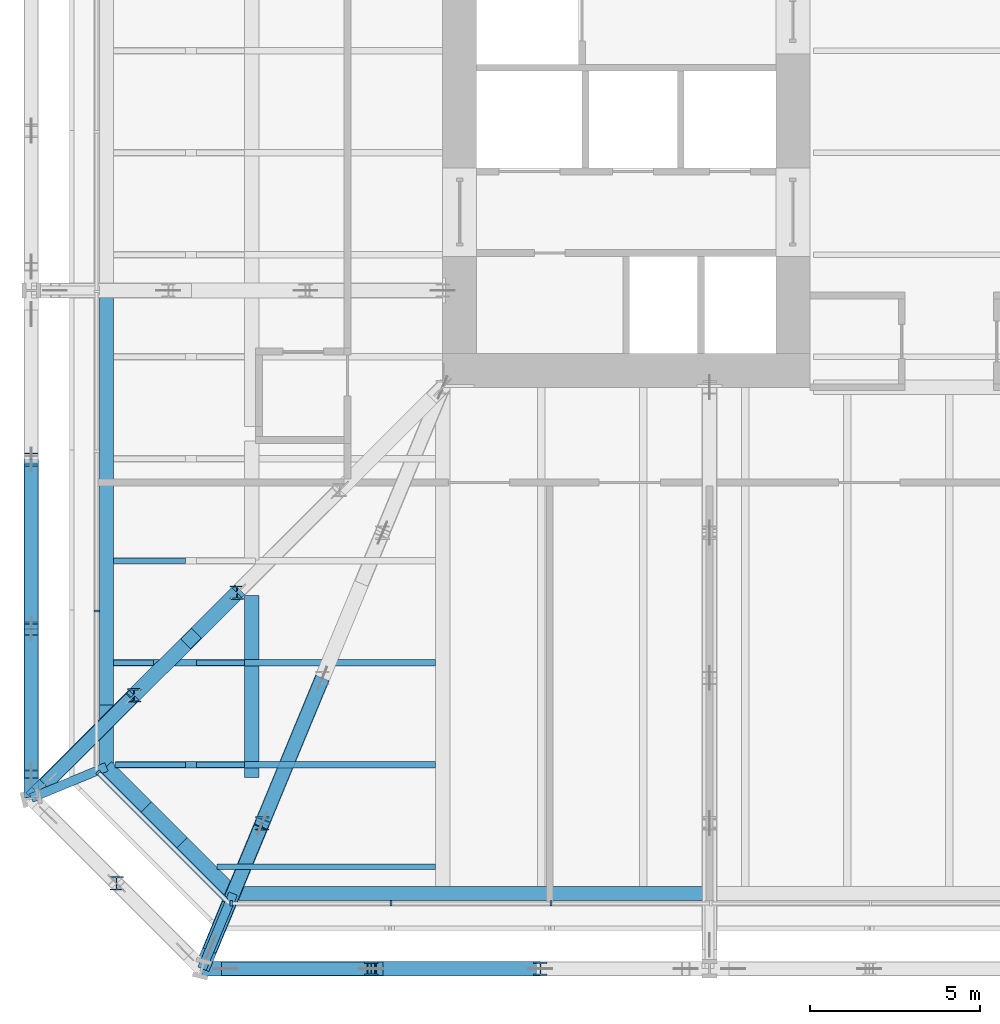
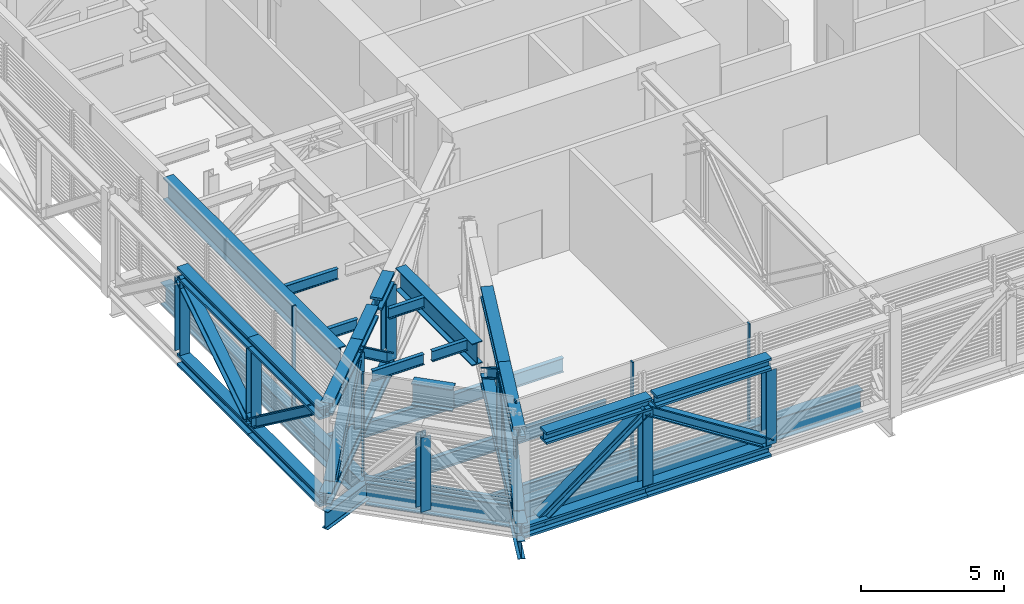
# One storey, part 2 of 33: 33 beams, 22 members, 3 elements without a shape of their own.
"""IFC4 building model written with IfcOpenShell, lengths in metres."""

from ifc_helpers import new_model, si_unit, direction, frame, origin, origin_2d, place, context, subcontext, project, spatial, rectangle, i_section, extrude, material, layer, layer_set, material_profile, profile_set, type_object, element, aggregate, save


model = new_model("IFC4")

# Units and contexts
model_context = context("Model", 3, precision=1e-05, world=origin(), true_north=direction((0.0, 1.0)))
body_context = subcontext(model_context, "Body", "Model", "MODEL_VIEW")
ifc_project = project(units=[si_unit("LENGTHUNIT", "METRE"), si_unit("AREAUNIT", "SQUARE_METRE"), si_unit("VOLUMEUNIT", "CUBIC_METRE"), si_unit("PLANEANGLEUNIT", "RADIAN"), si_unit("MASSUNIT", "GRAM", prefix="KILO")], contexts=[model_context])

# Site, building, storey
site_placement = place(None, origin())
site = spatial("IfcSite", under=ifc_project, at=site_placement, CompositionType="ELEMENT")
building_placement = place(site_placement, origin())
building = spatial("IfcBuilding", under=site, at=building_placement, Name="Millrace Tower", CompositionType="ELEMENT")
storey_placement = place(building_placement, frame((0.0, 0.0, 64.10009765625)))
storey = spatial("IfcBuildingStorey", under=building, at=storey_placement, Name="L14", CompositionType="ELEMENT", Elevation=64.10009765625)

# Beams
ifc_material_1 = material(Name="Steel ASTM A992 Grade 50", Category="steel")
ifc_material_profile_1 = material_profile(ifc_material_1, i_section(OverallWidth=0.436767578125, OverallDepth=0.51318359375, WebThickness=0.060546875, FlangeThickness=0.096923828125, FilletRadius=0.01513671875, at=origin_2d()))
ifc_profile_set_1 = profile_set([ifc_material_profile_1], Name="Steel ASTM A992 Grade 50")
beam_type_1 = type_object("IfcBeamType", Name="Belt truss chord W14x550", PredefinedType="BEAM", material=ifc_profile_set_1)
beam_1_placement = place(storey_placement, frame((-21.978515625, -27.0, 0.25634765625), z_axis=(1.0, 0.0, 0.0), x_axis=(0.0, 1.0, 0.0)))
element("IfcBeam", 1, at=beam_1_placement, inside=storey, type_object=beam_type_1, Name="BLT-L14-R02-B01", PredefinedType="BEAM", context=body_context, shape_type="SweptSolid", body=[
    extrude(i_section(OverallWidth=0.436767578125, OverallDepth=0.51318359375, WebThickness=0.060546875, FlangeThickness=0.096923828125, FilletRadius=0.01513671875, at=origin_2d()), origin(), (0.0, 0.0, 1.0), 4.976318359375),
])
for number, where, z_axis, x_axis, name in (
    (2, (-17.002197265625, -27.0, 0.25634765625), (1.0, 0.0, 0.0), (0.0, 1.0, 0.0), "BLT-L14-R02-B02"),
    (3, (-27.0, -12.026123046875, 0.25634765625), (0.0, -1.0, 0.0), (1.0, 0.0, 0.0), "BLT-L14-R16-B02"),
    (4, (-27.0, -12.026123046875, 3.943359375), (0.0, -1.0, 0.0), (1.0, 0.0, 0.0), "BLT-L14-R16-T02"),
):
    element("IfcBeam", number, at=place(storey_placement, frame(where, z_axis=z_axis, x_axis=x_axis)), inside=storey, type_object=beam_type_1, Name=name, PredefinedType="BEAM", context=body_context, shape_type="SweptSolid", body=[
        extrude(i_section(OverallWidth=0.436767578125, OverallDepth=0.51318359375, WebThickness=0.060546875, FlangeThickness=0.096923828125, FilletRadius=0.01513671875, at=origin_2d()), origin(), (0.0, 0.0, 1.0), 4.97607421875),
    ])
beam_2_placement = place(storey_placement, frame((-27.0, -17.002197265625, 0.25634765625), z_axis=(0.0, -1.0, 0.0), x_axis=(1.0, 0.0, 0.0)))
element("IfcBeam", 5, at=beam_2_placement, inside=storey, type_object=beam_type_1, Name="BLT-L14-R16-B03", PredefinedType="BEAM", context=body_context, shape_type="SweptSolid", body=[
    extrude(i_section(OverallWidth=0.436767578125, OverallDepth=0.51318359375, WebThickness=0.060546875, FlangeThickness=0.096923828125, FilletRadius=0.01513671875, at=origin_2d()), origin(), (0.0, 0.0, 1.0), 4.976318359375),
])
beam_3_placement = place(storey_placement, frame((-21.101318359375, -27.0, 3.943359375), z_axis=(1.0, 0.0, 0.0), x_axis=(0.0, 1.0, 0.0)))
element("IfcBeam", 6, at=beam_3_placement, inside=storey, type_object=beam_type_1, Name="BLT-L14-R02-T01", PredefinedType="BEAM", context=body_context, shape_type="SweptSolid", body=[
    extrude(i_section(OverallWidth=0.436767578125, OverallDepth=0.51318359375, WebThickness=0.060546875, FlangeThickness=0.096923828125, FilletRadius=0.01513671875, at=origin_2d()), origin(), (0.0, 0.0, 1.0), 4.2509765625),
])
beam_4_placement = place(storey_placement, frame((-16.65087890625, -27.0, 3.943359375), z_axis=(1.0, 0.0, 0.0), x_axis=(0.0, 1.0, 0.0)))
element("IfcBeam", 7, at=beam_4_placement, inside=storey, type_object=beam_type_1, Name="BLT-L14-R02-T02", PredefinedType="BEAM", context=body_context, shape_type="SweptSolid", body=[
    extrude(i_section(OverallWidth=0.436767578125, OverallDepth=0.51318359375, WebThickness=0.060546875, FlangeThickness=0.096923828125, FilletRadius=0.01513671875, at=origin_2d()), origin(), (0.0, 0.0, 1.0), 4.624755859375),
])
beam_5_placement = place(storey_placement, frame((-27.0, -17.002197265625, 3.943359375), z_axis=(0.0, -1.0, 0.0), x_axis=(1.0, 0.0, 0.0)))
element("IfcBeam", 8, at=beam_5_placement, inside=storey, type_object=beam_type_1, Name="BLT-L14-R16-T03", PredefinedType="BEAM", context=body_context, shape_type="SweptSolid", body=[
    extrude(i_section(OverallWidth=0.436767578125, OverallDepth=0.51318359375, WebThickness=0.060546875, FlangeThickness=0.096923828125, FilletRadius=0.01513671875, at=origin_2d()), origin(), (0.0, 0.0, 1.0), 4.958984375),
])

# Members
ifc_material_2 = material(Name="Steel ASTM A992 Grade 50", Category="steel")
ifc_material_profile_2 = material_profile(ifc_material_2, i_section(OverallWidth=0.40380859375, OverallDepth=0.406494140625, WebThickness=0.027099609375, FlangeThickness=0.043701171875, FilletRadius=0.01513671875, at=origin_2d()))
ifc_profile_set_2 = profile_set([ifc_material_profile_2], Name="Steel ASTM A992 Grade 50")
member_type_1 = type_object("IfcMemberType", Name="Belt truss diagonal W14x233", PredefinedType="BRACE", material=ifc_profile_set_2)
member_1_placement = place(storey_placement, frame((-21.2783203125, -27.0, 0.512939453125), z_axis=(0.802988323282, 0.0, 0.59599475893), x_axis=(0.0, 1.0, 0.0)))
element("IfcMember", 9, at=member_1_placement, inside=storey, type_object=member_type_1, Name="BLT-L14-R02-D01", PredefinedType="BRACE", context=body_context, shape_type="SweptSolid", body=[
    extrude(i_section(OverallWidth=0.40380859375, OverallDepth=0.406494140625, WebThickness=0.027099609375, FlangeThickness=0.043701171875, FilletRadius=0.01513671875, at=origin_2d()), origin(), (0.0, 0.0, 1.0), 5.3251953125),
])
for number, where, z_axis, x_axis, name in (
    (10, (-12.026123046875, -27.0, 0.512939453125), (-0.843105769353, 0.0, 0.537747767716), (0.0, -1.0, 0.0), "BLT-L14-R02-D02"),
    (11, (-27.0, -17.002197265625, 0.512939453125), (0.0, 0.843105769353, 0.537747767716), (-1.0, 0.0, 0.0), "BLT-L14-R16-D02"),
):
    element("IfcMember", number, at=place(storey_placement, frame(where, z_axis=z_axis, x_axis=x_axis)), inside=storey, type_object=member_type_1, Name=name, PredefinedType="BRACE", context=body_context, shape_type="SweptSolid", body=[
        extrude(i_section(OverallWidth=0.40380859375, OverallDepth=0.406494140625, WebThickness=0.027099609375, FlangeThickness=0.043701171875, FilletRadius=0.01513671875, at=origin_2d()), origin(), (0.0, 0.0, 1.0), 5.902099609375),
    ])
member_2_placement = place(storey_placement, frame((-27.0, -17.002197265625, 0.512939453125), z_axis=(0.0, -0.802988323282, 0.59599475893), x_axis=(1.0, 0.0, 0.0)))
element("IfcMember", 12, at=member_2_placement, inside=storey, type_object=member_type_1, Name="BLT-L14-R16-D03", PredefinedType="BRACE", context=body_context, shape_type="SweptSolid", body=[
    extrude(i_section(OverallWidth=0.40380859375, OverallDepth=0.406494140625, WebThickness=0.027099609375, FlangeThickness=0.043701171875, FilletRadius=0.01513671875, at=origin_2d()), origin(), (0.0, 0.0, 1.0), 5.3251953125),
])
ifc_material_3 = material(Name="Steel ASTM A992 Grade 50", Category="steel")
ifc_material_profile_3 = material_profile(ifc_material_3, i_section(OverallWidth=0.398681640625, OverallDepth=0.393798828125, WebThickness=0.022705078125, FlangeThickness=0.03662109375, FilletRadius=0.01513671875, at=origin_2d()))
ifc_profile_set_3 = profile_set([ifc_material_profile_3], Name="Steel ASTM A992 Grade 50")
member_type_2 = type_object("IfcMemberType", Name="Belt truss post W14x193", PredefinedType="POST", material=ifc_profile_set_3)
for number, where, z_axis, x_axis, name in (
    (13, (-24.4892578125, -24.4892578125, 0.512939453125), (0.0, 0.0, 1.0), (1.0, 0.0, 0.0), "BLT-L14-R01-V01"),
    (14, (-17.002197265625, -27.0, 0.512939453125), (0.0, 0.0, 1.0), (1.0, 0.0, 0.0), "BLT-L14-R02-V01"),
    (15, (-12.026123046875, -27.0, 0.512939453125), (0.0, 0.0, 1.0), (1.0, 0.0, 0.0), "BLT-L14-R02-V02"),
    (16, (-27.0, -12.026123046875, 0.512939453125), (0.0, 0.0, 1.0), (1.0, 0.0, 0.0), "BLT-L14-R16-V01"),
    (17, (-27.0, -17.002197265625, 0.512939453125), (0.0, 0.0, 1.0), (1.0, 0.0, 0.0), "BLT-L14-R16-V02"),
):
    element("IfcMember", number, at=place(storey_placement, frame(where, z_axis=z_axis, x_axis=x_axis)), inside=storey, type_object=member_type_2, Name=name, PredefinedType="POST", context=body_context, shape_type="SweptSolid", body=[
        extrude(i_section(OverallWidth=0.398681640625, OverallDepth=0.393798828125, WebThickness=0.022705078125, FlangeThickness=0.03662109375, FilletRadius=0.01513671875, at=origin_2d()), origin(), (0.0, 0.0, 1.0), 3.173828125),
    ])

# Curtain wall, member
ifc_material_4 = material(Name="Aluminium and glass", Category="aluminium")
ifc_layer = layer(ifc_material_4, 0.14990234375)
ifc_layer_set = layer_set([ifc_layer], Name="Aluminium and glass")
curtain_wall_type = type_object("IfcCurtainWallType", Name="CW-5 truss and plant storey louvred infill", PredefinedType="NOTDEFINED", material=ifc_layer_set)
placement = place(storey_placement, origin())
curtain_wall_1 = element("IfcCurtainWall", 18, at=placement, inside=storey, type_object=curtain_wall_type, Name="Curtain wall A-F01 L14", PredefinedType="NOTDEFINED")
ifc_material_5 = material(Name="Aluminium", Category="aluminium")
ifc_material_profile_4 = material_profile(ifc_material_5, rectangle(XDim=0.06494140625, YDim=0.14990234375, at=origin_2d()))
ifc_profile_set_4 = profile_set([ifc_material_profile_4], Name="Aluminium")
member_type_3 = type_object("IfcMemberType", Name="CW-5 truss and plant storey louvred infill mullion", PredefinedType="MULLION", material=ifc_profile_set_4)
member_3_placement = place(storey_placement, frame((-25.030029296875, -21.22607421875, 0.139892578125), z_axis=(0.0, 0.0, 1.0), x_axis=(0.707106781187, -0.707106781187, 0.0)))
member_3 = element("IfcMember", 19, at=member_3_placement, type_object=member_type_3, Name="CW5 mullion A-F01.1", PredefinedType="MULLION", context=body_context, shape_type="SweptSolid", body=[
    extrude(rectangle(XDim=0.06494140625, YDim=0.14990234375, at=origin_2d()), origin(), (0.0, 0.0, 1.0), 4.360107421875),
])

# Curtain wall, members
curtain_wall_2 = element("IfcCurtainWall", 20, at=placement, inside=storey, type_object=curtain_wall_type, Name="Curtain wall A-F02 L14", PredefinedType="NOTDEFINED")
member_4_placement = place(storey_placement, frame((-21.117431640625, -25.074951171875, 0.139892578125), z_axis=(0.0, 0.0, 1.0), x_axis=(1.0, 0.0, 0.0)))
member_4 = element("IfcMember", 21, at=member_4_placement, type_object=member_type_3, Name="CW5 mullion A-F02.1", PredefinedType="MULLION", context=body_context, shape_type="SweptSolid", body=[
    extrude(rectangle(XDim=0.06494140625, YDim=0.14990234375, at=origin_2d()), origin(), (0.0, 0.0, 1.0), 4.159912109375),
])
member_5_placement = place(storey_placement, frame((-16.41748046875, -25.074951171875, 0.139892578125), z_axis=(0.0, 0.0, 1.0), x_axis=(1.0, 0.0, 0.0)))
member_5 = element("IfcMember", 22, at=member_5_placement, type_object=member_type_3, Name="CW5 mullion A-F02.2", PredefinedType="MULLION", context=body_context, shape_type="SweptSolid", body=[
    extrude(rectangle(XDim=0.06494140625, YDim=0.14990234375, at=origin_2d()), origin(), (0.0, 0.0, 1.0), 4.159912109375),
])
member_6_placement = place(storey_placement, frame((-11.717529296875, -25.074951171875, 0.139892578125), z_axis=(0.0, 0.0, 1.0), x_axis=(1.0, 0.0, 0.0)))
member_6 = element("IfcMember", 23, at=member_6_placement, type_object=member_type_3, Name="CW5 mullion A-F02.3", PredefinedType="MULLION", context=body_context, shape_type="SweptSolid", body=[
    extrude(rectangle(XDim=0.06494140625, YDim=0.14990234375, at=origin_2d()), origin(), (0.0, 0.0, 1.0), 4.159912109375),
])
aggregate(curtain_wall_2, [member_4, member_5, member_6])

# Curtain wall, member
curtain_wall_3 = element("IfcCurtainWall", 24, at=placement, inside=storey, type_object=curtain_wall_type, Name="Curtain wall A-F08 L14", PredefinedType="NOTDEFINED")
member_7_placement = place(storey_placement, frame((-25.074951171875, -16.482421875, 0.139892578125), z_axis=(0.0, 0.0, 1.0), x_axis=(0.0, -1.0, 0.0)))
member_7 = element("IfcMember", 25, at=member_7_placement, type_object=member_type_3, Name="CW5 mullion A-F08.9", PredefinedType="MULLION", context=body_context, shape_type="SweptSolid", body=[
    extrude(rectangle(XDim=0.06494140625, YDim=0.14990234375, at=origin_2d()), origin(), (0.0, 0.0, 1.0), 4.360107421875),
])
aggregate(curtain_wall_3, [member_7])

# Member
ifc_material_6 = material(Name="Aluminium", Category="aluminium")
ifc_material_profile_5 = material_profile(ifc_material_6, rectangle(XDim=0.14990234375, YDim=0.139892578125, at=origin_2d()))
ifc_profile_set_5 = profile_set([ifc_material_profile_5], Name="Aluminium")
member_type_4 = type_object("IfcMemberType", Name="CW-5 truss and plant storey louvred infill transom", PredefinedType="USERDEFINED", material=ifc_profile_set_5)
member_8_placement = place(storey_placement, frame((-24.982421875, -21.273681640625, 0.06982421875), z_axis=(0.707106781187, -0.707106781187, 0.0), x_axis=(0.707106781187, 0.707106781187, 0.0)))
member_8 = element("IfcMember", 26, at=member_8_placement, type_object=member_type_4, Name="CW5 transom A-F01.1", ObjectType="TRANSOM", PredefinedType="USERDEFINED", context=body_context, shape_type="SweptSolid", body=[
    extrude(rectangle(XDim=0.14990234375, YDim=0.139892578125, at=origin_2d()), origin(), (0.0, 0.0, 1.0), 5.244873046875),
])

aggregate(curtain_wall_1, [member_3, member_8])

# Beams
ifc_material_7 = material(Name="Steel ASTM A992 Grade 50", Category="steel")
ifc_material_profile_6 = material_profile(ifc_material_7, i_section(OverallWidth=0.15234375, OverallDepth=0.449462890625, WebThickness=0.007568359375, FlangeThickness=0.0107421875, FilletRadius=0.01025390625, at=origin_2d()))
ifc_profile_set_6 = profile_set([ifc_material_profile_6], Name="Steel ASTM A992 Grade 50")
beam_type_2 = type_object("IfcBeamType", Name="Floor beam W18x35", PredefinedType="JOIST", material=ifc_profile_set_6)
beam_6_placement = place(storey_placement, frame((-24.578369140625, -18.0, 4.0751953125), z_axis=(1.0, 0.0, 0.0), x_axis=(0.0, 1.0, 0.0)))
element("IfcBeam", 27, at=beam_6_placement, inside=storey, type_object=beam_type_2, Name="BM-A-L14-R1-S003-a", PredefinedType="JOIST", context=body_context, shape_type="SweptSolid", body=[
    extrude(i_section(OverallWidth=0.15234375, OverallDepth=0.449462890625, WebThickness=0.007568359375, FlangeThickness=0.0107421875, FilletRadius=0.01025390625, at=origin_2d()), origin(), (0.0, 0.0, 1.0), 1.1748046875),
])
beam_7_placement = place(storey_placement, frame((-22.138427734375, -21.0, 4.0751953125), z_axis=(1.0, 0.0, 0.0), x_axis=(0.0, 1.0, 0.0)))
element("IfcBeam", 28, at=beam_7_placement, inside=storey, type_object=beam_type_2, Name="BM-A-L14-R1-S002-b", PredefinedType="JOIST", context=body_context, shape_type="SweptSolid", body=[
    extrude(i_section(OverallWidth=0.15234375, OverallDepth=0.449462890625, WebThickness=0.007568359375, FlangeThickness=0.0107421875, FilletRadius=0.01025390625, at=origin_2d()), origin(), (0.0, 0.0, 1.0), 1.416748046875),
])
beam_8_placement = place(storey_placement, frame((-24.578369140625, -15.0, 4.0751953125), z_axis=(1.0, 0.0, 0.0), x_axis=(0.0, 1.0, 0.0)))
element("IfcBeam", 29, at=beam_8_placement, inside=storey, type_object=beam_type_2, Name="BM-A-L14-R1-S004-a", PredefinedType="JOIST", context=body_context, shape_type="SweptSolid", body=[
    extrude(i_section(OverallWidth=0.15234375, OverallDepth=0.449462890625, WebThickness=0.007568359375, FlangeThickness=0.0107421875, FilletRadius=0.01025390625, at=origin_2d()), origin(), (0.0, 0.0, 1.0), 2.116943359375),
])
beam_9_placement = place(storey_placement, frame((-24.541748046875, -21.0, 4.0751953125), z_axis=(1.0, 0.0, 0.0), x_axis=(0.0, 1.0, 0.0)))
element("IfcBeam", 30, at=beam_9_placement, inside=storey, type_object=beam_type_2, Name="BM-A-L14-R1-S002-a", PredefinedType="JOIST", context=body_context, shape_type="SweptSolid", body=[
    extrude(i_section(OverallWidth=0.15234375, OverallDepth=0.449462890625, WebThickness=0.007568359375, FlangeThickness=0.0107421875, FilletRadius=0.01025390625, at=origin_2d()), origin(), (0.0, 0.0, 1.0), 2.080322265625),
])
beam_10_placement = place(storey_placement, frame((-22.138427734375, -18.0, 4.0751953125), z_axis=(1.0, 0.0, 0.0), x_axis=(0.0, 1.0, 0.0)))
element("IfcBeam", 31, at=beam_10_placement, inside=storey, type_object=beam_type_2, Name="BM-A-L14-R1-S003-b", PredefinedType="JOIST", context=body_context, shape_type="SweptSolid", body=[
    extrude(i_section(OverallWidth=0.15234375, OverallDepth=0.449462890625, WebThickness=0.007568359375, FlangeThickness=0.0107421875, FilletRadius=0.01025390625, at=origin_2d()), origin(), (0.0, 0.0, 1.0), 1.416748046875),
])
ifc_material_8 = material(Name="Steel ASTM A992 Grade 50", Category="steel")
ifc_material_profile_7 = material_profile(ifc_material_8, i_section(OverallWidth=0.1650390625, OverallDepth=0.52587890625, WebThickness=0.0087890625, FlangeThickness=0.011474609375, FilletRadius=0.0126953125, at=origin_2d()))
ifc_profile_set_7 = profile_set([ifc_material_profile_7], Name="Steel ASTM A992 Grade 50")
beam_type_3 = type_object("IfcBeamType", Name="Floor beam W21x44", PredefinedType="JOIST", material=ifc_profile_set_7)
beam_11_placement = place(storey_placement, frame((-21.53369140625, -24.0, -0.512939453125), z_axis=(1.0, 0.0, 0.0), x_axis=(0.0, 1.0, 0.0)))
element("IfcBeam", 32, at=beam_11_placement, inside=storey, type_object=beam_type_3, Name="BM-A-L14-S1-S001", PredefinedType="JOIST", context=body_context, shape_type="SweptSolid", body=[
    extrude(i_section(OverallWidth=0.1650390625, OverallDepth=0.52587890625, WebThickness=0.0087890625, FlangeThickness=0.011474609375, FilletRadius=0.0126953125, at=origin_2d()), origin(), (0.0, 0.0, 1.0), 6.421630859375),
])
ifc_material_9 = material(Name="Steel ASTM A992 Grade 50", Category="steel")
ifc_material_profile_8 = material_profile(ifc_material_9, i_section(OverallWidth=0.177978515625, OverallDepth=0.599365234375, WebThickness=0.010009765625, FlangeThickness=0.012939453125, FilletRadius=0.012939453125, at=origin_2d()))
ifc_profile_set_8 = profile_set([ifc_material_profile_8], Name="Steel ASTM A992 Grade 50")
beam_type_4 = type_object("IfcBeamType", Name="Floor beam W24x55", PredefinedType="JOIST", material=ifc_profile_set_8)
beam_12_placement = place(storey_placement, frame((-24.578369140625, -18.0, -0.5498046875), z_axis=(1.0, 0.0, 0.0), x_axis=(0.0, 1.0, 0.0)))
element("IfcBeam", 33, at=beam_12_placement, inside=storey, type_object=beam_type_4, Name="BM-A-L14-S1-S005", PredefinedType="JOIST", context=body_context, shape_type="SweptSolid", body=[
    extrude(i_section(OverallWidth=0.177978515625, OverallDepth=0.599365234375, WebThickness=0.010009765625, FlangeThickness=0.012939453125, FilletRadius=0.012939453125, at=origin_2d()), origin(), (0.0, 0.0, 1.0), 9.46630859375),
])
beam_13_placement = place(storey_placement, frame((-24.52978515625, -21.0, -0.5498046875), z_axis=(1.0, 0.0, 0.0), x_axis=(0.0, 1.0, 0.0)))
element("IfcBeam", 34, at=beam_13_placement, inside=storey, type_object=beam_type_4, Name="BM-A-L14-S1-S003", PredefinedType="JOIST", context=body_context, shape_type="SweptSolid", body=[
    extrude(i_section(OverallWidth=0.177978515625, OverallDepth=0.599365234375, WebThickness=0.010009765625, FlangeThickness=0.012939453125, FilletRadius=0.012939453125, at=origin_2d()), origin(), (0.0, 0.0, 1.0), 9.417724609375),
])
ifc_material_10 = material(Name="Steel ASTM A992 Grade 50", Category="steel")
ifc_material_profile_9 = material_profile(ifc_material_10, i_section(OverallWidth=0.2666015625, OverallDepth=0.7568359375, WebThickness=0.013916015625, FlangeThickness=0.019287109375, FilletRadius=0.0166015625, at=origin_2d()))
ifc_profile_set_9 = profile_set([ifc_material_profile_9], Name="Steel ASTM A992 Grade 50")
beam_type_5 = type_object("IfcBeamType", Name="Link beam W30x108", PredefinedType="BEAM", material=ifc_profile_set_9)
for number, where, z_axis, x_axis, name in (
    (35, (-24.7890625, -21.062744140625, -0.628662109375), (-0.923883789366, -0.382673155247, 0.0), (0.382673155247, -0.923883789366, 0.0), "LNK-A-L14-S1-01"),
    (36, (-21.062744140625, -24.7890625, -0.628662109375), (-0.382673155247, -0.923883789366, 0.0), (0.923883789366, -0.382673155247, 0.0), "LNK-A-L14-S1-16"),
):
    element("IfcBeam", number, at=place(storey_placement, frame(where, z_axis=z_axis, x_axis=x_axis)), inside=storey, type_object=beam_type_5, Name=name, PredefinedType="BEAM", context=body_context, shape_type="SweptSolid", body=[
        extrude(i_section(OverallWidth=0.2666015625, OverallDepth=0.7568359375, WebThickness=0.013916015625, FlangeThickness=0.019287109375, FilletRadius=0.0166015625, at=origin_2d()), origin(), (0.0, 0.0, 1.0), 2.39306640625),
    ])
ifc_material_11 = material(Name="Steel ASTM A992 Grade 50", Category="steel")
ifc_material_profile_10 = material_profile(ifc_material_11, i_section(OverallWidth=0.436767578125, OverallDepth=0.51318359375, WebThickness=0.060546875, FlangeThickness=0.096923828125, FilletRadius=0.01513671875, at=origin_2d()))
ifc_profile_set_10 = profile_set([ifc_material_profile_10], Name="Steel ASTM A992 Grade 50")
beam_type_6 = type_object("IfcBeamType", Name="Outrigger truss chord W14x550", PredefinedType="BEAM", material=ifc_profile_set_10)
for number, where, z_axis, x_axis, name in (
    (37, (-20.949951171875, -15.939208984375, 0.25634765625), (-0.707763346272, -0.706449605899, 0.0), (0.706449605899, -0.707763346272, 0.0), "BLT-L14-O01-B03"),
    (38, (-23.97509765625, -18.958740234375, 0.25634765625), (-0.707706277922, -0.706506775756, 0.0), (0.706506775756, -0.707706277922, 0.0), "BLT-L14-O01-B04"),
):
    element("IfcBeam", number, at=place(storey_placement, frame(where, z_axis=z_axis, x_axis=x_axis)), inside=storey, type_object=beam_type_6, Name=name, PredefinedType="BEAM", context=body_context, shape_type="SweptSolid", body=[
        extrude(i_section(OverallWidth=0.436767578125, OverallDepth=0.51318359375, WebThickness=0.060546875, FlangeThickness=0.096923828125, FilletRadius=0.01513671875, at=origin_2d()), origin(), (0.0, 0.0, 1.0), 4.274169921875),
    ])
for number, where, z_axis, x_axis, name in (
    (39, (-18.439208984375, -18.449951171875, 0.25634765625), (-0.382445001063, -0.923978257949, 0.0), (0.923978257949, -0.382445001063, 0.0), "BLT-L14-O02-B03"),
    (40, (-18.439208984375, -18.449951171875, 3.943359375), (-0.382445001063, -0.923978257949, 0.0), (0.923978257949, -0.382445001063, 0.0), "BLT-L14-O02-T03"),
):
    element("IfcBeam", number, at=place(storey_placement, frame(where, z_axis=z_axis, x_axis=x_axis)), inside=storey, type_object=beam_type_6, Name=name, PredefinedType="BEAM", context=body_context, shape_type="SweptSolid", body=[
        extrude(i_section(OverallWidth=0.436767578125, OverallDepth=0.51318359375, WebThickness=0.060546875, FlangeThickness=0.096923828125, FilletRadius=0.01513671875, at=origin_2d()), origin(), (0.0, 0.0, 1.0), 4.626953125),
    ])
beam_14_placement = place(storey_placement, frame((-20.208740234375, -22.72509765625, 0.25634765625), z_axis=(-0.382508695671, -0.923951891462, 0.0), x_axis=(0.923951891462, -0.382508695671, 0.0)))
element("IfcBeam", 41, at=beam_14_placement, inside=storey, type_object=beam_type_6, Name="BLT-L14-O02-B04", PredefinedType="BEAM", context=body_context, shape_type="SweptSolid", body=[
    extrude(i_section(OverallWidth=0.436767578125, OverallDepth=0.51318359375, WebThickness=0.060546875, FlangeThickness=0.096923828125, FilletRadius=0.01513671875, at=origin_2d()), origin(), (0.0, 0.0, 1.0), 4.626708984375),
])
beam_15_placement = place(storey_placement, frame((-20.949951171875, -15.939208984375, 3.943359375), z_axis=(-0.707760064249, -0.706452894009, 0.0), x_axis=(0.706452894009, -0.707760064249, 0.0)))
element("IfcBeam", 42, at=beam_15_placement, inside=storey, type_object=beam_type_6, Name="BLT-L14-O01-T03-a", PredefinedType="BEAM", context=body_context, shape_type="SweptSolid", body=[
    extrude(i_section(OverallWidth=0.436767578125, OverallDepth=0.51318359375, WebThickness=0.060546875, FlangeThickness=0.096923828125, FilletRadius=0.01513671875, at=origin_2d()), origin(), (0.0, 0.0, 1.0), 1.680908203125),
])
beam_16_placement = place(storey_placement, frame((-22.458984375, -17.445556640625, 3.943359375), z_axis=(-0.70779030587, -0.706422595134, 0.0), x_axis=(0.706422595134, -0.70779030587, 0.0)))
element("IfcBeam", 43, at=beam_16_placement, inside=storey, type_object=beam_type_6, Name="BLT-L14-O01-T03-b", PredefinedType="BEAM", context=body_context, shape_type="SweptSolid", body=[
    extrude(i_section(OverallWidth=0.436767578125, OverallDepth=0.51318359375, WebThickness=0.060546875, FlangeThickness=0.096923828125, FilletRadius=0.01513671875, at=origin_2d()), origin(), (0.0, 0.0, 1.0), 2.14208984375),
])
beam_17_placement = place(storey_placement, frame((-23.97509765625, -18.958740234375, 3.943359375), z_axis=(-0.707711455715, -0.706501589135, 0.0), x_axis=(0.706501589135, -0.707711455715, 0.0)))
element("IfcBeam", 44, at=beam_17_placement, inside=storey, type_object=beam_type_6, Name="BLT-L14-O01-T04", PredefinedType="BEAM", context=body_context, shape_type="SweptSolid", body=[
    extrude(i_section(OverallWidth=0.436767578125, OverallDepth=0.51318359375, WebThickness=0.060546875, FlangeThickness=0.096923828125, FilletRadius=0.01513671875, at=origin_2d()), origin(), (0.0, 0.0, 1.0), 4.035888671875),
])
beam_18_placement = place(storey_placement, frame((-20.208740234375, -22.72509765625, 3.943359375), z_axis=(-0.382467950799, -0.923968758461, 0.0), x_axis=(0.923968758461, -0.382467950799, 0.0)))
element("IfcBeam", 45, at=beam_18_placement, inside=storey, type_object=beam_type_6, Name="BLT-L14-O02-T04", PredefinedType="BEAM", context=body_context, shape_type="SweptSolid", body=[
    extrude(i_section(OverallWidth=0.436767578125, OverallDepth=0.51318359375, WebThickness=0.060546875, FlangeThickness=0.096923828125, FilletRadius=0.01513671875, at=origin_2d()), origin(), (0.0, 0.0, 1.0), 4.022216796875),
])

# Members
ifc_material_12 = material(Name="Steel ASTM A992 Grade 50", Category="steel")
ifc_material_profile_11 = material_profile(ifc_material_12, i_section(OverallWidth=0.40380859375, OverallDepth=0.406494140625, WebThickness=0.027099609375, FlangeThickness=0.043701171875, FilletRadius=0.01513671875, at=origin_2d()))
ifc_profile_set_11 = profile_set([ifc_material_profile_11], Name="Steel ASTM A992 Grade 50")
member_type_5 = type_object("IfcMemberType", Name="Outrigger truss diagonal W14x233", PredefinedType="BRACE", material=ifc_profile_set_11)
member_9_placement = place(storey_placement, frame((-20.949951171875, -15.939208984375, 0.512939453125), z_axis=(-0.568236504847, -0.567181752235, 0.596164519652), x_axis=(0.706449605899, -0.707763346272, 0.0)))
element("IfcMember", 46, at=member_9_placement, inside=storey, type_object=member_type_5, Name="BLT-L14-O01-D03", PredefinedType="BRACE", context=body_context, shape_type="SweptSolid", body=[
    extrude(i_section(OverallWidth=0.40380859375, OverallDepth=0.406494140625, WebThickness=0.027099609375, FlangeThickness=0.043701171875, FilletRadius=0.01513671875, at=origin_2d()), origin(), (0.0, 0.0, 1.0), 5.32373046875),
])
member_10_placement = place(storey_placement, frame((-26.504638671875, -21.48388671875, 0.512939453125), z_axis=(0.529195836994, 0.52827647351, 0.663984739014), x_axis=(-0.706491757517, 0.707721270389, 0.0)))
element("IfcMember", 47, at=member_10_placement, inside=storey, type_object=member_type_5, Name="BLT-L14-O01-D04", PredefinedType="BRACE", context=body_context, shape_type="SweptSolid", body=[
    extrude(i_section(OverallWidth=0.40380859375, OverallDepth=0.406494140625, WebThickness=0.027099609375, FlangeThickness=0.043701171875, FilletRadius=0.01513671875, at=origin_2d()), origin(), (0.0, 0.0, 1.0), 4.780029296875),
])
member_11_placement = place(storey_placement, frame((-18.439208984375, -18.449951171875, 0.512939453125), z_axis=(-0.315378356124, -0.761946798301, 0.565662062584), x_axis=(0.923978257949, -0.382445001063, 0.0)))
element("IfcMember", 48, at=member_11_placement, inside=storey, type_object=member_type_5, Name="BLT-L14-O02-D03", PredefinedType="BRACE", context=body_context, shape_type="SweptSolid", body=[
    extrude(i_section(OverallWidth=0.40380859375, OverallDepth=0.406494140625, WebThickness=0.027099609375, FlangeThickness=0.043701171875, FilletRadius=0.01513671875, at=origin_2d()), origin(), (0.0, 0.0, 1.0), 5.61083984375),
])
member_12_placement = place(storey_placement, frame((-21.710693359375, -26.353271484375, 0.512939453125), z_axis=(0.297473659901, 0.718588436246, 0.628601687047), x_axis=(-0.923959256302, 0.382490905374, 0.0)))
element("IfcMember", 49, at=member_12_placement, inside=storey, type_object=member_type_5, Name="BLT-L14-O02-D04", PredefinedType="BRACE", context=body_context, shape_type="SweptSolid", body=[
    extrude(i_section(OverallWidth=0.40380859375, OverallDepth=0.406494140625, WebThickness=0.027099609375, FlangeThickness=0.043701171875, FilletRadius=0.01513671875, at=origin_2d()), origin(), (0.0, 0.0, 1.0), 5.049072265625),
])
ifc_material_13 = material(Name="Steel ASTM A992 Grade 50", Category="steel")
ifc_material_profile_12 = material_profile(ifc_material_13, i_section(OverallWidth=0.398681640625, OverallDepth=0.393798828125, WebThickness=0.022705078125, FlangeThickness=0.03662109375, FilletRadius=0.01513671875, at=origin_2d()))
ifc_profile_set_12 = profile_set([ifc_material_profile_12], Name="Steel ASTM A992 Grade 50")
member_type_6 = type_object("IfcMemberType", Name="Outrigger truss post W14x193", PredefinedType="POST", material=ifc_profile_set_12)
for number, where, z_axis, x_axis, name in (
    (50, (-20.949951171875, -15.939208984375, 0.512939453125), (0.0, 0.0, 1.0), (1.0, 0.0, 0.0), "BLT-L14-O01-V02"),
    (51, (-23.97509765625, -18.958740234375, 0.512939453125), (0.0, 0.0, 1.0), (1.0, 0.0, 0.0), "BLT-L14-O01-V03"),
    (52, (-20.208740234375, -22.72509765625, 0.512939453125), (0.0, 0.0, 1.0), (1.0, 0.0, 0.0), "BLT-L14-O02-V03"),
):
    element("IfcMember", number, at=place(storey_placement, frame(where, z_axis=z_axis, x_axis=x_axis)), inside=storey, type_object=member_type_6, Name=name, PredefinedType="POST", context=body_context, shape_type="SweptSolid", body=[
        extrude(i_section(OverallWidth=0.398681640625, OverallDepth=0.393798828125, WebThickness=0.022705078125, FlangeThickness=0.03662109375, FilletRadius=0.01513671875, at=origin_2d()), origin(), (0.0, 0.0, 1.0), 3.173828125),
    ])

# Beams
ifc_material_14 = material(Name="Steel ASTM A992 Grade 50", Category="steel")
ifc_material_profile_13 = material_profile(ifc_material_14, i_section(OverallWidth=0.421630859375, OverallDepth=0.937255859375, WebThickness=0.021240234375, FlangeThickness=0.03662109375, FilletRadius=0.024169921875, at=origin_2d()))
ifc_profile_set_13 = profile_set([ifc_material_profile_13], Name="Steel ASTM A992 Grade 50")
beam_type_7 = type_object("IfcBeamType", Name="Ring beam medium span W36x262", PredefinedType="SPANDREL", material=ifc_profile_set_13)
for number, where, z_axis, x_axis, name in (
    (53, (-24.7890625, -21.062744140625, -0.71875), (0.0, 1.0, 0.0), (-1.0, 0.0, 0.0), "RNG-A-L14-S1-01"),
    (54, (-7.050048828125, -24.7890625, -0.71875), (-1.0, 0.0, 0.0), (0.0, -1.0, 0.0), "RNG-A-L14-S1-15"),
):
    element("IfcBeam", number, at=place(storey_placement, frame(where, z_axis=z_axis, x_axis=x_axis)), inside=storey, type_object=beam_type_7, Name=name, PredefinedType="SPANDREL", context=body_context, shape_type="SweptSolid", body=[
        extrude(i_section(OverallWidth=0.421630859375, OverallDepth=0.937255859375, WebThickness=0.021240234375, FlangeThickness=0.03662109375, FilletRadius=0.024169921875, at=origin_2d()), origin(), (0.0, 0.0, 1.0), 14.0126953125),
    ])
beam_19_placement = place(storey_placement, frame((-24.7890625, -19.2490234375, 3.831298828125), z_axis=(0.0, 1.0, 0.0), x_axis=(-1.0, 0.0, 0.0)))
element("IfcBeam", 55, at=beam_19_placement, inside=storey, type_object=beam_type_7, Name="RNG-A-L14-R1-02", PredefinedType="SPANDREL", context=body_context, shape_type="SweptSolid", body=[
    extrude(i_section(OverallWidth=0.421630859375, OverallDepth=0.937255859375, WebThickness=0.021240234375, FlangeThickness=0.03662109375, FilletRadius=0.024169921875, at=origin_2d()), origin(), (0.0, 0.0, 1.0), 12.037841796875),
])
ifc_material_15 = material(Name="Steel ASTM A992 Grade 50", Category="steel")
ifc_material_profile_14 = material_profile(ifc_material_15, i_section(OverallWidth=0.421630859375, OverallDepth=0.937255859375, WebThickness=0.021240234375, FlangeThickness=0.03662109375, FilletRadius=0.024169921875, at=origin_2d()))
ifc_profile_set_14 = profile_set([ifc_material_profile_14], Name="Steel ASTM A992 Grade 50")
beam_type_8 = type_object("IfcBeamType", Name="Ring beam short span W36x262", PredefinedType="SPANDREL", material=ifc_profile_set_14)
beam_20_placement = place(storey_placement, frame((-21.062744140625, -24.7890625, -0.71875), z_axis=(-0.707106781187, 0.707106781187, 0.0), x_axis=(-0.707106781187, -0.707106781187, 0.0)))
element("IfcBeam", 56, at=beam_20_placement, inside=storey, type_object=beam_type_8, Name="RNG-A-L14-S1-16", PredefinedType="SPANDREL", context=body_context, shape_type="SweptSolid", body=[
    extrude(i_section(OverallWidth=0.421630859375, OverallDepth=0.937255859375, WebThickness=0.021240234375, FlangeThickness=0.03662109375, FilletRadius=0.024169921875, at=origin_2d()), origin(), (0.0, 0.0, 1.0), 5.269775390625),
])
beam_21_placement = place(storey_placement, frame((-20.5107421875, -16.0234375, 3.831298828125), z_axis=(0.0, -1.0, 0.0), x_axis=(1.0, 0.0, 0.0)))
element("IfcBeam", 57, at=beam_21_placement, inside=storey, type_object=beam_type_8, Name="RNG-A-L14-R1-13-b-a", PredefinedType="SPANDREL", context=body_context, shape_type="SweptSolid", body=[
    extrude(i_section(OverallWidth=0.421630859375, OverallDepth=0.937255859375, WebThickness=0.021240234375, FlangeThickness=0.03662109375, FilletRadius=0.024169921875, at=origin_2d()), origin(), (0.0, 0.0, 1.0), 5.354736328125),
])
beam_22_placement = place(storey_placement, frame((-22.55908203125, -23.29296875, 3.831298828125), z_axis=(-0.707025001649, 0.707188551267, 0.0), x_axis=(-0.707188551267, -0.707025001649, 0.0)))
element("IfcBeam", 58, at=beam_22_placement, inside=storey, type_object=beam_type_8, Name="RNG-A-L14-R1-01", PredefinedType="SPANDREL", context=body_context, shape_type="SweptSolid", body=[
    extrude(i_section(OverallWidth=0.421630859375, OverallDepth=0.937255859375, WebThickness=0.021240234375, FlangeThickness=0.03662109375, FilletRadius=0.024169921875, at=origin_2d()), origin(), (0.0, 0.0, 1.0), 1.49267578125),
])

save(model, "model.ifc")
